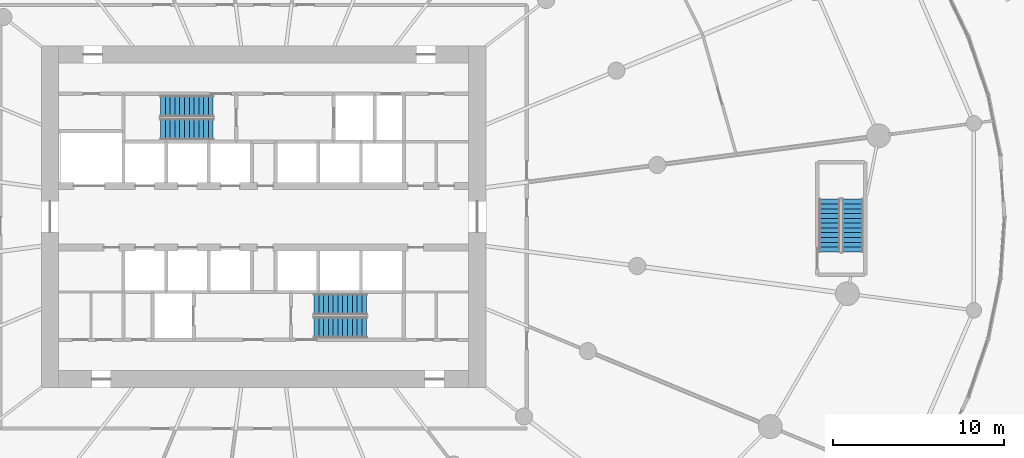
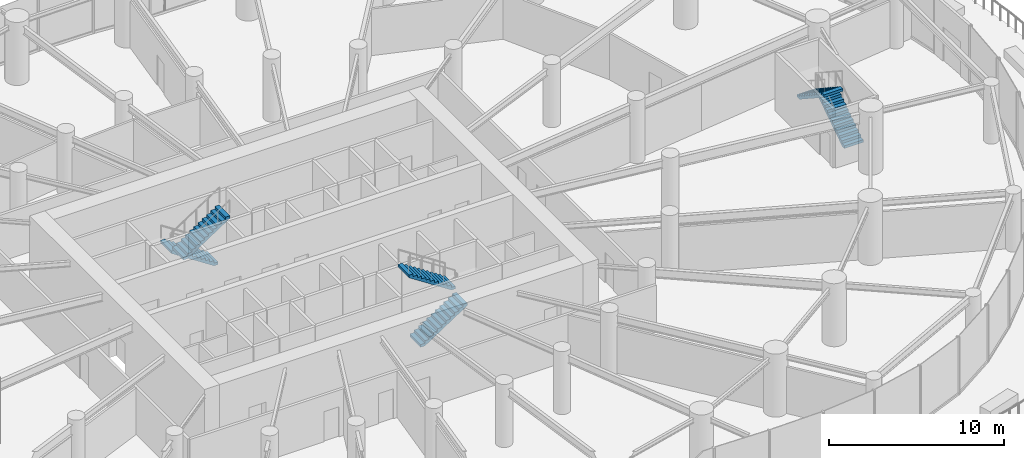
# One storey, part 15 of 19: 6 stair flights, 3 elements without a shape of their own.
"""IFC4 building model written with IfcOpenShell, lengths in metres."""

from ifc_helpers import new_model, si_unit, direction, frame, origin, place, context, subcontext, project, spatial, line, indexed_curve, outline, extrude, material, type_object, element, aggregate, save


model = new_model("IFC4")

# Units and contexts
model_context = context("Model", 3, precision=1e-05, world=origin(), true_north=direction((0.0, 1.0)))
body_context = subcontext(model_context, "Body", "Model", "MODEL_VIEW")
ifc_project = project(units=[si_unit("LENGTHUNIT", "METRE"), si_unit("AREAUNIT", "SQUARE_METRE"), si_unit("VOLUMEUNIT", "CUBIC_METRE"), si_unit("PLANEANGLEUNIT", "RADIAN"), si_unit("MASSUNIT", "GRAM", prefix="KILO")], contexts=[model_context])

# Site, building, storey
site_placement = place(None, origin())
site = spatial("IfcSite", under=ifc_project, at=site_placement, CompositionType="ELEMENT")
building_placement = place(site_placement, origin())
building = spatial("IfcBuilding", under=site, at=building_placement, Name="Spindrift Exchange Tower", CompositionType="ELEMENT")
storey_placement = place(building_placement, frame((0.0, 0.0, 13.800048828125)))
storey = spatial("IfcBuildingStorey", under=building, at=storey_placement, Name="L03", CompositionType="ELEMENT", Elevation=13.800048828125)

# Stair, stair flights
ifc_material = material(Name="Concrete 50 MPa", Category="concrete")
stair_type = type_object("IfcStairType", Name="ST-1250-R183", PredefinedType="HALF_TURN_STAIR", material=ifc_material)
stair_1_placement = place(storey_placement, origin())
stair_1 = element("IfcStair", 1, at=stair_1_placement, inside=storey, type_object=stair_type, Name="L03 Exit stair ST1", PredefinedType="HALF_TURN_STAIR")
stair_flight_type = type_object("IfcStairFlightType", Name="STF-1250-R183", PredefinedType="STRAIGHT", material=ifc_material)
stair_flight_1_placement = place(storey_placement, frame((49.050048828125, 54.47509765625, 0.0), z_axis=(0.0, 0.0, 1.0), x_axis=(-1.0, 0.0, 0.0)))
stair_flight_1 = element("IfcStairFlight", 2, at=stair_flight_1_placement, type_object=stair_flight_type, Name="ST1 flight 1", NumberOfRisers=12, NumberOfTreads=11, PredefinedType="STRAIGHT", RiserHeight=0.183333333, TreadLength=0.28, context=body_context, shape_type="SweptSolid", body=[
    extrude(outline(indexed_curve([(0.0, 0.0), (0.0, 0.18359375), (0.2802734375, 0.18359375), (0.2802734375, 0.3662109375), (0.5595703125, 0.3662109375), (0.5595703125, 0.5498046875), (0.83984375, 0.5498046875), (0.83984375, 0.7333984375), (1.1201171875, 0.7333984375), (1.1201171875, 0.9169921875), (1.400390625, 0.9169921875), (1.400390625, 1.099609375), (1.6796875, 1.099609375), (1.6796875, 1.283203125), (1.9599609375, 1.283203125), (1.9599609375, 1.466796875), (2.240234375, 1.466796875), (2.240234375, 1.650390625), (2.51953125, 1.650390625), (2.51953125, 1.8330078125), (2.7998046875, 1.8330078125), (2.7998046875, 2.0166015625), (3.080078125, 2.0166015625), (3.080078125, 2.2001953125), (3.080078125, 1.837890625), (0.2734375, 0.0)], segments=[line(1, 2, 3, 4, 5, 6, 7, 8, 9, 10, 11, 12, 13, 14, 15, 16, 17, 18, 19, 20, 21, 22, 23, 24, 25, 26, 1)], self_intersect=False)), frame((0.0, 0.625, 0.0), z_axis=(0.0, -1.0, 0.0), x_axis=(1.0, 0.0, 0.0)), (0.0, 0.0, 1.0), 1.25),
])
stair_flight_2_placement = place(storey_placement, frame((45.969970703125, 53.125, 2.199951171875), z_axis=(0.0, 0.0, 1.0), x_axis=(1.0, 0.0, 0.0)))
stair_flight_2 = element("IfcStairFlight", 3, at=stair_flight_2_placement, type_object=stair_flight_type, Name="ST1 flight 2", NumberOfRisers=12, NumberOfTreads=11, PredefinedType="STRAIGHT", RiserHeight=0.183333333, TreadLength=0.28, context=body_context, shape_type="SweptSolid", body=[
    extrude(outline(indexed_curve([(0.0, 0.0), (0.0, 0.18359375), (0.2802734375, 0.18359375), (0.2802734375, 0.3662109375), (0.5595703125, 0.3662109375), (0.5595703125, 0.5498046875), (0.83984375, 0.5498046875), (0.83984375, 0.7333984375), (1.1201171875, 0.7333984375), (1.1201171875, 0.9169921875), (1.400390625, 0.9169921875), (1.400390625, 1.099609375), (1.6796875, 1.099609375), (1.6796875, 1.283203125), (1.9599609375, 1.283203125), (1.9599609375, 1.466796875), (2.240234375, 1.466796875), (2.240234375, 1.650390625), (2.51953125, 1.650390625), (2.51953125, 1.8330078125), (2.7998046875, 1.8330078125), (2.7998046875, 2.0166015625), (3.080078125, 2.0166015625), (3.080078125, 2.2001953125), (3.080078125, 1.837890625), (0.2734375, 0.0)], segments=[line(1, 2, 3, 4, 5, 6, 7, 8, 9, 10, 11, 12, 13, 14, 15, 16, 17, 18, 19, 20, 21, 22, 23, 24, 25, 26, 1)], self_intersect=False)), frame((0.0, 0.625, 0.0), z_axis=(0.0, -1.0, 0.0), x_axis=(1.0, 0.0, 0.0)), (0.0, 0.0, 1.0), 1.25),
])
aggregate(stair_1, [stair_flight_1, stair_flight_2])

stair_2_placement = place(storey_placement, origin())
stair_2 = element("IfcStair", 4, at=stair_2_placement, inside=storey, type_object=stair_type, Name="L03 Exit stair ST2", PredefinedType="HALF_TURN_STAIR")
stair_flight_3_placement = place(storey_placement, frame((54.949951171875, 41.52490234375, 0.0), z_axis=(0.0, 0.0, 1.0), x_axis=(1.0, 0.0, 0.0)))
stair_flight_3 = element("IfcStairFlight", 5, at=stair_flight_3_placement, type_object=stair_flight_type, Name="ST2 flight 1", NumberOfRisers=12, NumberOfTreads=11, PredefinedType="STRAIGHT", RiserHeight=0.183333333, TreadLength=0.28, context=body_context, shape_type="SweptSolid", body=[
    extrude(outline(indexed_curve([(0.0, 0.0), (0.0, 0.18359375), (0.2802734375, 0.18359375), (0.2802734375, 0.3662109375), (0.5595703125, 0.3662109375), (0.5595703125, 0.5498046875), (0.83984375, 0.5498046875), (0.83984375, 0.7333984375), (1.1201171875, 0.7333984375), (1.1201171875, 0.9169921875), (1.400390625, 0.9169921875), (1.400390625, 1.099609375), (1.6796875, 1.099609375), (1.6796875, 1.283203125), (1.9599609375, 1.283203125), (1.9599609375, 1.466796875), (2.240234375, 1.466796875), (2.240234375, 1.650390625), (2.51953125, 1.650390625), (2.51953125, 1.8330078125), (2.7998046875, 1.8330078125), (2.7998046875, 2.0166015625), (3.080078125, 2.0166015625), (3.080078125, 2.2001953125), (3.080078125, 1.837890625), (0.2734375, 0.0)], segments=[line(1, 2, 3, 4, 5, 6, 7, 8, 9, 10, 11, 12, 13, 14, 15, 16, 17, 18, 19, 20, 21, 22, 23, 24, 25, 26, 1)], self_intersect=False)), frame((0.0, 0.625, 0.0), z_axis=(0.0, -1.0, 0.0), x_axis=(1.0, 0.0, 0.0)), (0.0, 0.0, 1.0), 1.25),
])
stair_flight_4_placement = place(storey_placement, frame((58.030029296875, 42.875, 2.199951171875), z_axis=(0.0, 0.0, 1.0), x_axis=(-1.0, 0.0, 0.0)))
stair_flight_4 = element("IfcStairFlight", 6, at=stair_flight_4_placement, type_object=stair_flight_type, Name="ST2 flight 2", NumberOfRisers=12, NumberOfTreads=11, PredefinedType="STRAIGHT", RiserHeight=0.183333333, TreadLength=0.28, context=body_context, shape_type="SweptSolid", body=[
    extrude(outline(indexed_curve([(0.0, 0.0), (0.0, 0.18359375), (0.2802734375, 0.18359375), (0.2802734375, 0.3662109375), (0.5595703125, 0.3662109375), (0.5595703125, 0.5498046875), (0.83984375, 0.5498046875), (0.83984375, 0.7333984375), (1.1201171875, 0.7333984375), (1.1201171875, 0.9169921875), (1.400390625, 0.9169921875), (1.400390625, 1.099609375), (1.6796875, 1.099609375), (1.6796875, 1.283203125), (1.9599609375, 1.283203125), (1.9599609375, 1.466796875), (2.240234375, 1.466796875), (2.240234375, 1.650390625), (2.51953125, 1.650390625), (2.51953125, 1.8330078125), (2.7998046875, 1.8330078125), (2.7998046875, 2.0166015625), (3.080078125, 2.0166015625), (3.080078125, 2.2001953125), (3.080078125, 1.837890625), (0.2734375, 0.0)], segments=[line(1, 2, 3, 4, 5, 6, 7, 8, 9, 10, 11, 12, 13, 14, 15, 16, 17, 18, 19, 20, 21, 22, 23, 24, 25, 26, 1)], self_intersect=False)), frame((0.0, 0.625, 0.0), z_axis=(0.0, -1.0, 0.0), x_axis=(1.0, 0.0, 0.0)), (0.0, 0.0, 1.0), 1.25),
])
aggregate(stair_2, [stair_flight_3, stair_flight_4])

stair_3_placement = place(storey_placement, origin())
stair_3 = element("IfcStair", 7, at=stair_3_placement, inside=storey, type_object=stair_type, Name="L03 Exit stair ST5", PredefinedType="HALF_TURN_STAIR")
stair_flight_5_placement = place(storey_placement, frame((86.47509765625, 45.949951171875, 0.0), z_axis=(0.0, 0.0, 1.0), x_axis=(0.0, 1.0, 0.0)))
stair_flight_5 = element("IfcStairFlight", 8, at=stair_flight_5_placement, type_object=stair_flight_type, Name="ST5 flight 1", NumberOfRisers=12, NumberOfTreads=11, PredefinedType="STRAIGHT", RiserHeight=0.183333333, TreadLength=0.28, context=body_context, shape_type="SweptSolid", body=[
    extrude(outline(indexed_curve([(0.0, 0.0), (0.0, 0.18359375), (0.2802734375, 0.18359375), (0.2802734375, 0.3662109375), (0.5595703125, 0.3662109375), (0.5595703125, 0.5498046875), (0.83984375, 0.5498046875), (0.83984375, 0.7333984375), (1.1201171875, 0.7333984375), (1.1201171875, 0.9169921875), (1.400390625, 0.9169921875), (1.400390625, 1.099609375), (1.6796875, 1.099609375), (1.6796875, 1.283203125), (1.9599609375, 1.283203125), (1.9599609375, 1.466796875), (2.240234375, 1.466796875), (2.240234375, 1.650390625), (2.51953125, 1.650390625), (2.51953125, 1.8330078125), (2.7998046875, 1.8330078125), (2.7998046875, 2.0166015625), (3.080078125, 2.0166015625), (3.080078125, 2.2001953125), (3.080078125, 1.837890625), (0.2734375, 0.0)], segments=[line(1, 2, 3, 4, 5, 6, 7, 8, 9, 10, 11, 12, 13, 14, 15, 16, 17, 18, 19, 20, 21, 22, 23, 24, 25, 26, 1)], self_intersect=False)), frame((0.0, 0.625, 0.0), z_axis=(0.0, -1.0, 0.0), x_axis=(1.0, 0.0, 0.0)), (0.0, 0.0, 1.0), 1.25),
])
stair_flight_6_placement = place(storey_placement, frame((85.125, 49.030029296875, 2.199951171875), z_axis=(0.0, 0.0, 1.0), x_axis=(0.0, -1.0, 0.0)))
stair_flight_6 = element("IfcStairFlight", 9, at=stair_flight_6_placement, type_object=stair_flight_type, Name="ST5 flight 2", NumberOfRisers=12, NumberOfTreads=11, PredefinedType="STRAIGHT", RiserHeight=0.183333333, TreadLength=0.28, context=body_context, shape_type="SweptSolid", body=[
    extrude(outline(indexed_curve([(0.0, 0.0), (0.0, 0.18359375), (0.2802734375, 0.18359375), (0.2802734375, 0.3662109375), (0.5595703125, 0.3662109375), (0.5595703125, 0.5498046875), (0.83984375, 0.5498046875), (0.83984375, 0.7333984375), (1.1201171875, 0.7333984375), (1.1201171875, 0.9169921875), (1.400390625, 0.9169921875), (1.400390625, 1.099609375), (1.6796875, 1.099609375), (1.6796875, 1.283203125), (1.9599609375, 1.283203125), (1.9599609375, 1.466796875), (2.240234375, 1.466796875), (2.240234375, 1.650390625), (2.51953125, 1.650390625), (2.51953125, 1.8330078125), (2.7998046875, 1.8330078125), (2.7998046875, 2.0166015625), (3.080078125, 2.0166015625), (3.080078125, 2.2001953125), (3.080078125, 1.837890625), (0.2734375, 0.0)], segments=[line(1, 2, 3, 4, 5, 6, 7, 8, 9, 10, 11, 12, 13, 14, 15, 16, 17, 18, 19, 20, 21, 22, 23, 24, 25, 26, 1)], self_intersect=False)), frame((0.0, 0.625, 0.0), z_axis=(0.0, -1.0, 0.0), x_axis=(1.0, 0.0, 0.0)), (0.0, 0.0, 1.0), 1.25),
])
aggregate(stair_3, [stair_flight_5, stair_flight_6])

save(model, "model.ifc")
